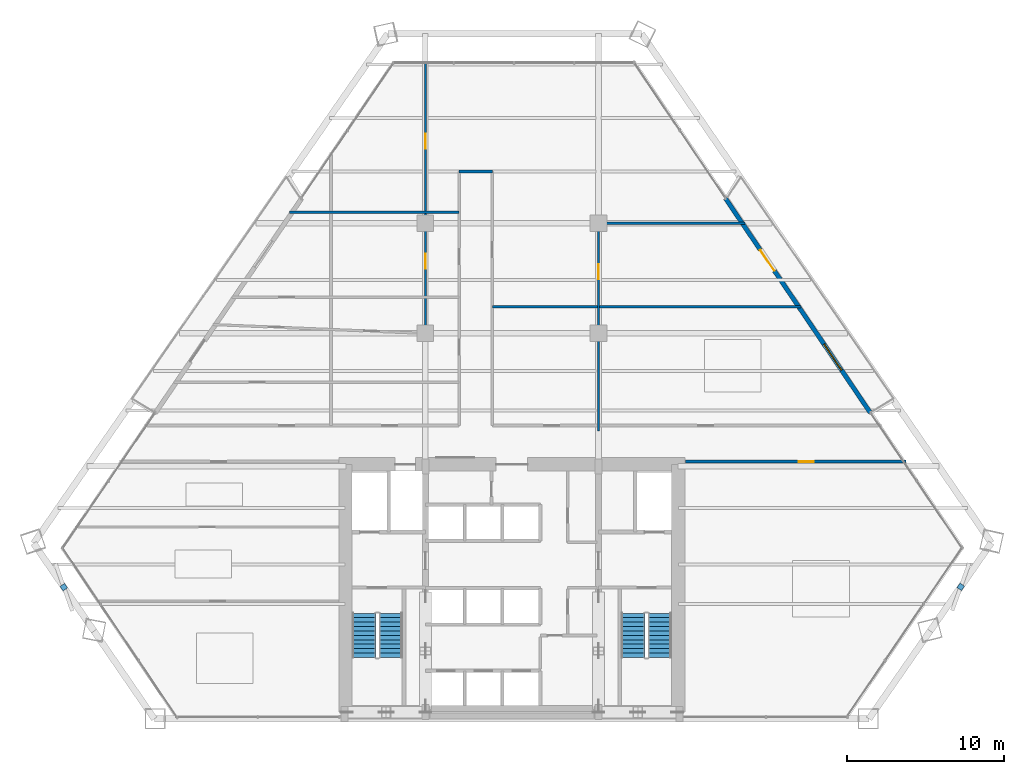
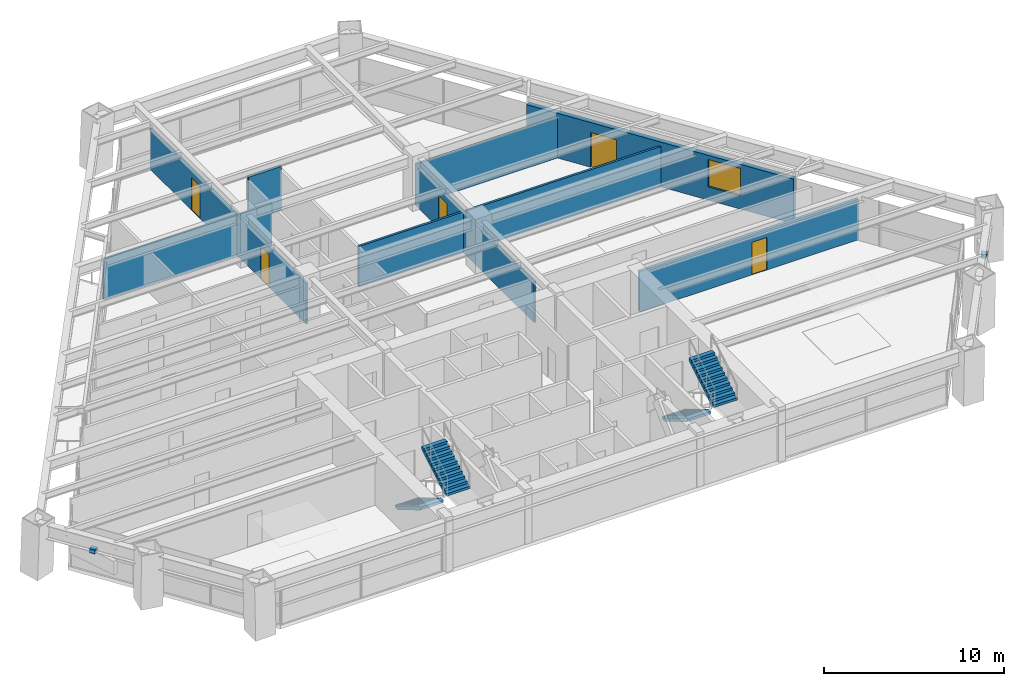
# One storey, part 12 of 14: 8 walls, 5 doors, 4 stair flights, 2 discrete accessories, 1 window, 6 openings, 2 elements without a shape of their own.
"""IFC4 building model written with IfcOpenShell, lengths in metres."""

from ifc_helpers import new_model, si_unit, direction, frame, frame_2d, origin, origin_2d, place, context, subcontext, project, spatial, polyline, rectangle, outline, extrude, source, transform, mapped, material, layer, layer_set, type_object, type_shapes, element, fill, aggregate, save


model = new_model("IFC4")

# Units and contexts
model_context = context("Model", 3, precision=1e-05, world=origin(), true_north=direction((0.0, 1.0)))
body_context = subcontext(model_context, "Body", "Model", "MODEL_VIEW")
ifc_project = project(units=[si_unit("LENGTHUNIT", "METRE"), si_unit("AREAUNIT", "SQUARE_METRE"), si_unit("VOLUMEUNIT", "CUBIC_METRE"), si_unit("PLANEANGLEUNIT", "RADIAN"), si_unit("MASSUNIT", "GRAM", prefix="KILO")], contexts=[model_context])

# Site, building, storey
site_placement = place(None, origin())
site = spatial("IfcSite", under=ifc_project, at=site_placement, CompositionType="ELEMENT")
building_placement = place(site_placement, origin())
building = spatial("IfcBuilding", under=site, at=building_placement, Name="Varnakhor Terracotta Tower", CompositionType="ELEMENT")
storey_placement = place(building_placement, frame((0.0, 0.0, 38.60009765625)))
storey = spatial("IfcBuildingStorey", under=building, at=storey_placement, Name="L08", CompositionType="ELEMENT", Elevation=38.60009765625)

# Wall, opening, door
ifc_material_1 = material(Name="Fire-Rated Gypsum Stud Partition", Category="gypsum")
ifc_layer_1 = layer(ifc_material_1, 0.18505859375, Name="Fire-Rated Gypsum Stud Partition")
ifc_layer_set_1 = layer_set([ifc_layer_1], Name="Fire-Rated Gypsum Stud Partition")
wall_type_1 = type_object("IfcWallType", Name="WAL-CORR-185", PredefinedType="PARTITIONING", material=ifc_layer_set_1)
wall_1_placement = place(storey_placement, frame((11.02001953125, 16.35009765625, 0.0), z_axis=(0.0, 0.0, 1.0), x_axis=(1.0, 0.0, 0.0)))
wall_1 = element("IfcWall", 1, at=wall_1_placement, inside=storey, type_object=wall_type_1, Name="L08 South East Corridor Wall", PredefinedType="PARTITIONING", context=body_context, shape_type="SweptSolid", body=[
    extrude(rectangle(XDim=14.011474609375, YDim=0.18505859375, at=frame_2d((7.005859375, 0.0))), origin(), (0.0, 0.0, 1.0), 2.746826171875),
])
opening_1_placement = place(wall_1_placement, frame((7.197265625, 0.0, 0.0)))
opening_1 = element("IfcOpeningElement", 2, at=opening_1_placement, cuts=wall_1, Name="Opening DR-94", PredefinedType="OPENING", context=body_context, shape_type="SweptSolid", body=[
    extrude(rectangle(XDim=0.949951171875, YDim=2.199951171875, at=frame_2d((0.47509765625, 1.10009765625))), frame((0.0, 0.1025390625, 0.0), z_axis=(0.0, -1.0, 0.0), x_axis=(1.0, 0.0, 0.0)), (0.0, 0.0, 1.0), 0.205078125),
])
ifc_material_2 = material(Name="Acoustic Glazed-Vision Timber Office Door", Category="wood")
door_type_1 = type_object("IfcDoorType", Name="DR-OFF-950X2200", OperationType="NOTDEFINED", PredefinedType="DOOR", material=ifc_material_2)
shared_shape_1 = source(origin(), body_context, "Body", "SweptSolid", [
    extrude(rectangle(XDim=0.949951171875, YDim=2.199951171875, at=frame_2d((0.47509765625, 1.10009765625))), frame((0.0, 0.02490234375, 0.0), z_axis=(0.0, -1.0, 0.0), x_axis=(1.0, 0.0, 0.0)), (0.0, 0.0, 1.0), 0.050048828125),
])
type_shapes(door_type_1, [shared_shape_1])
door_1_placement = place(opening_1_placement, origin())
door_1 = element("IfcDoor", 3, at=door_1_placement, inside=storey, type_object=door_type_1, Name="L08 SE Suite Door", OperationType="SINGLE_SWING_RIGHT", OverallHeight=2.199951171875, OverallWidth=0.949951171875, PredefinedType="DOOR", context=body_context, shape_type="MappedRepresentation", body=[
    mapped(shared_shape_1, transform((0.0, 0.0, 0.0), scale=1.0)),
])
fill(opening_1, door_1)

# Wall
wall_2_placement = place(storey_placement, frame((-3.35009765625, 34.800048828125, 0.0), z_axis=(0.0, 0.0, 1.0), x_axis=(1.0, 0.0, 0.0)))
element("IfcWall", 4, at=wall_2_placement, inside=storey, type_object=wall_type_1, Name="L08 Spine North End Wall", PredefinedType="PARTITIONING", context=body_context, shape_type="SweptSolid", body=[
    extrude(rectangle(XDim=2.10009765625, YDim=0.18505859375, at=frame_2d((1.050048828125, 0.0))), origin(), (0.0, 0.0, 1.0), 2.97900390625),
])

# Wall, openings, door, window
ifc_material_3 = material(Name="Extruded Architectural Terracotta Assembly", Category="masonry")
ifc_layer_2 = layer(ifc_material_3, 0.280029296875, Name="Extruded Architectural Terracotta Assembly")
ifc_layer_set_2 = layer_set([ifc_layer_2], Name="Extruded Architectural Terracotta Assembly")
wall_type_2 = type_object("IfcWallType", Name="WAL-EXT-TERRACOTTA-280", PredefinedType="SOLIDWALL", material=ifc_layer_set_2)
wall_3_placement = place(storey_placement, frame((13.5732421875, 33.077880859375, 0.0), z_axis=(0.0, 0.0, 1.0), x_axis=(0.559811376514, -0.828620071399, 0.0)))
wall_3 = element("IfcWall", 5, at=wall_3_placement, inside=storey, type_object=wall_type_2, Name="L08 E Loggia Insulated Terracotta Wall", PredefinedType="SOLIDWALL", context=body_context, shape_type="SweptSolid", body=[
    extrude(rectangle(XDim=16.4345703125, YDim=0.280029296875, at=frame_2d((8.21728515625, 0.0))), origin(), (0.0, 0.0, 1.0), 3.02978515625),
])
opening_2_placement = place(wall_3_placement, frame((3.944091796875, 0.0, 0.0)))
opening_2 = element("IfcOpeningElement", 6, at=opening_2_placement, cuts=wall_3, Name="Opening DR-62", PredefinedType="OPENING", context=body_context, shape_type="SweptSolid", body=[
    extrude(rectangle(XDim=1.60009765625, YDim=2.35009765625, at=frame_2d((0.800048828125, 1.175048828125))), frame((0.0, 0.14990234375, 0.0), z_axis=(0.0, -1.0, 0.0), x_axis=(1.0, 0.0, 0.0)), (0.0, 0.0, 1.0), 0.300048828125),
])
opening_3_placement = place(wall_3_placement, frame((11.17529296875, 0.0, 0.89990234375)))
opening_3 = element("IfcOpeningElement", 7, at=opening_3_placement, cuts=wall_3, Name="Opening WN-26", PredefinedType="OPENING", context=body_context, shape_type="SweptSolid", body=[
    extrude(rectangle(XDim=2.0, YDim=1.85009765625, at=frame_2d((1.0, 0.925048828125))), frame((0.0, 0.14990234375, 0.0), z_axis=(0.0, -1.0, 0.0), x_axis=(1.0, 0.0, 0.0)), (0.0, 0.0, 1.0), 0.300048828125),
])
ifc_material_4 = material(Name="Thermally Broken Sliding Glass Loggia Door", Category="glass")
door_type_2 = type_object("IfcDoorType", Name="DR-EXT-LOGGIA-1600X2350", OperationType="NOTDEFINED", PredefinedType="DOOR", material=ifc_material_4)
shared_shape_2 = source(origin(), body_context, "Body", "SweptSolid", [
    extrude(rectangle(XDim=1.60009765625, YDim=2.35009765625, at=frame_2d((0.800048828125, 1.175048828125))), frame((0.0, 0.02490234375, 0.0), z_axis=(0.0, -1.0, 0.0), x_axis=(1.0, 0.0, 0.0)), (0.0, 0.0, 1.0), 0.050048828125),
])
type_shapes(door_type_2, [shared_shape_2])
door_2_placement = place(opening_2_placement, origin())
door_2 = element("IfcDoor", 8, at=door_2_placement, inside=storey, type_object=door_type_2, Name="L08 E Recessed Loggia Sliding Door", OperationType="SLIDING_TO_RIGHT", OverallHeight=2.35009765625, OverallWidth=1.60009765625, PredefinedType="DOOR", context=body_context, shape_type="MappedRepresentation", body=[
    mapped(shared_shape_2, transform((0.0, 0.0, 0.0), scale=1.0)),
])
fill(opening_2, door_2)
ifc_material_5 = material(Name="Solar-Control Low-E Insulated Glass Unit", Category="glass")
window_type = type_object("IfcWindowType", Name="WIN-OFF-2200X2100", PartitioningType="SINGLE_PANEL", PredefinedType="WINDOW", material=ifc_material_5)
shared_shape_3 = source(origin(), body_context, "Body", "SweptSolid", [
    extrude(rectangle(XDim=2.0, YDim=1.85009765625, at=frame_2d((1.0, 0.925048828125))), frame((0.0, 0.030029296875, 0.0), z_axis=(0.0, -1.0, 0.0), x_axis=(1.0, 0.0, 0.0)), (0.0, 0.0, 1.0), 0.06005859375),
])
type_shapes(window_type, [shared_shape_3])
window_placement = place(opening_3_placement, origin())
window = element("IfcWindow", 9, at=window_placement, inside=storey, type_object=window_type, Name="L08 E Facet Punched Window", OverallHeight=1.85009765625, OverallWidth=2.0, PartitioningType="SINGLE_PANEL", PredefinedType="WINDOW", context=body_context, shape_type="MappedRepresentation", body=[
    mapped(shared_shape_3, transform((0.0, 0.0, 0.0), scale=1.0)),
])
fill(opening_3, window)

# Wall, openings, doors
ifc_material_6 = material(Name="Acoustic Metal-Stud Partition", Category="gypsum")
ifc_layer_3 = layer(ifc_material_6, 0.139892578125, Name="Acoustic Metal-Stud Partition")
ifc_layer_set_3 = layer_set([ifc_layer_3], Name="Acoustic Metal-Stud Partition")
wall_type_3 = type_object("IfcWallType", Name="WAL-PART-140", PredefinedType="PARTITIONING", material=ifc_layer_set_3)
wall_4_placement = place(storey_placement, frame((-5.5, 24.5, 0.0), z_axis=(0.0, 0.0, 1.0), x_axis=(0.0, 1.0, 0.0)))
wall_4 = element("IfcWall", 10, at=wall_4_placement, inside=storey, type_object=wall_type_3, Name="L08 West Upper Column Wall", PredefinedType="PARTITIONING", context=body_context, shape_type="SweptSolid", body=[
    extrude(rectangle(XDim=17.31201171875, YDim=0.139892578125, at=frame_2d((8.656005859375, 0.0))), origin(), (0.0, 0.0, 1.0), 2.746826171875),
])
opening_4_placement = place(wall_4_placement, frame((11.747314453125, 0.0, 0.0)))
opening_4 = element("IfcOpeningElement", 11, at=opening_4_placement, cuts=wall_4, Name="Opening DR-94", PredefinedType="OPENING", context=body_context, shape_type="SweptSolid", body=[
    extrude(rectangle(XDim=0.949951171875, YDim=2.199951171875, at=frame_2d((0.47509765625, 1.10009765625))), frame((0.0, 0.080078125, 0.0), z_axis=(0.0, -1.0, 0.0), x_axis=(1.0, 0.0, 0.0)), (0.0, 0.0, 1.0), 0.159912109375),
])
opening_5_placement = place(wall_4_placement, frame((4.099853515625, 0.0, 0.0)))
opening_5 = element("IfcOpeningElement", 12, at=opening_5_placement, cuts=wall_4, Name="Opening DR-94", PredefinedType="OPENING", context=body_context, shape_type="SweptSolid", body=[
    extrude(rectangle(XDim=0.949951171875, YDim=2.199951171875, at=frame_2d((0.47509765625, 1.10009765625))), frame((0.0, 0.080078125, 0.0), z_axis=(0.0, -1.0, 0.0), x_axis=(1.0, 0.0, 0.0)), (0.0, 0.0, 1.0), 0.159912109375),
])
door_3_placement = place(opening_4_placement, origin())
door_3 = element("IfcDoor", 13, at=door_3_placement, inside=storey, type_object=door_type_1, Name="L08 Trading Workplace East B19 Door", OperationType="SINGLE_SWING_RIGHT", OverallHeight=2.199951171875, OverallWidth=0.949951171875, PredefinedType="DOOR", context=body_context, shape_type="MappedRepresentation", body=[
    mapped(shared_shape_1, transform((0.0, 0.0, 0.0), scale=1.0)),
])
fill(opening_4, door_3)
door_4_placement = place(opening_5_placement, origin())
door_4 = element("IfcDoor", 14, at=door_4_placement, inside=storey, type_object=door_type_1, Name="L08 Client Reception Door", OperationType="SINGLE_SWING_LEFT", OverallHeight=2.199951171875, OverallWidth=0.949951171875, PredefinedType="DOOR", context=body_context, shape_type="MappedRepresentation", body=[
    mapped(shared_shape_1, transform((0.0, 0.0, 0.0), scale=1.0)),
])
fill(opening_5, door_4)

# Wall, opening, door
wall_5_placement = place(storey_placement, frame((5.5, 18.300048828125, 0.0), z_axis=(0.0, 0.0, 1.0), x_axis=(0.0, 1.0, 0.0)))
wall_5 = element("IfcWall", 15, at=wall_5_placement, inside=storey, type_object=wall_type_3, Name="L08 East Lower Column Wall", PredefinedType="PARTITIONING", context=body_context, shape_type="SweptSolid", body=[
    extrude(rectangle(XDim=13.199951171875, YDim=0.139892578125, at=frame_2d((6.60009765625, 0.0))), origin(), (0.0, 0.0, 1.0), 2.746826171875),
])
opening_6_placement = place(wall_5_placement, frame((9.64208984375, 0.0, 0.0)))
opening_6 = element("IfcOpeningElement", 16, at=opening_6_placement, cuts=wall_5, Name="Opening DR-94", PredefinedType="OPENING", context=body_context, shape_type="SweptSolid", body=[
    extrude(rectangle(XDim=0.949951171875, YDim=2.199951171875, at=frame_2d((0.47509765625, 1.10009765625))), frame((0.0, 0.080078125, 0.0), z_axis=(0.0, -1.0, 0.0), x_axis=(1.0, 0.0, 0.0)), (0.0, 0.0, 1.0), 0.159912109375),
])
door_5_placement = place(opening_6_placement, origin())
door_5 = element("IfcDoor", 17, at=door_5_placement, inside=storey, type_object=door_type_1, Name="L08 Seminar Training Room Door", OperationType="SINGLE_SWING_RIGHT", OverallHeight=2.199951171875, OverallWidth=0.949951171875, PredefinedType="DOOR", context=body_context, shape_type="MappedRepresentation", body=[
    mapped(shared_shape_1, transform((0.0, 0.0, 0.0), scale=1.0)),
])
fill(opening_6, door_5)

# Walls
wall_6_placement = place(storey_placement, frame((5.5, 31.5, 0.0), z_axis=(0.0, 0.0, 1.0), x_axis=(1.0, 0.0, 0.0)))
element("IfcWall", 18, at=wall_6_placement, inside=storey, type_object=wall_type_3, Name="L08 North East Column Wall", PredefinedType="PARTITIONING", context=body_context, shape_type="SweptSolid", body=[
    extrude(rectangle(XDim=9.296142578125, YDim=0.139892578125, at=frame_2d((4.64794921875, 0.0))), origin(), (0.0, 0.0, 1.0), 2.746826171875),
])
wall_7_placement = place(storey_placement, frame((-14.124267578125, 32.199951171875, 0.0), z_axis=(0.0, 0.0, 1.0), x_axis=(1.0, 0.0, 0.0)))
element("IfcWall", 19, at=wall_7_placement, inside=storey, type_object=wall_type_3, Name="L08 West Wing Cut 3", PredefinedType="PARTITIONING", context=body_context, shape_type="SweptSolid", body=[
    extrude(rectangle(XDim=10.774169921875, YDim=0.139892578125, at=frame_2d((5.38720703125, 0.0))), origin(), (0.0, 0.0, 1.0), 2.746826171875),
])
wall_8_placement = place(storey_placement, frame((-1.25, 26.199951171875, 0.0), z_axis=(0.0, 0.0, 1.0), x_axis=(1.0, 0.0, 0.0)))
element("IfcWall", 20, at=wall_8_placement, inside=storey, type_object=wall_type_3, Name="L08 East Wing Cut 1", PredefinedType="PARTITIONING", context=body_context, shape_type="SweptSolid", body=[
    extrude(rectangle(XDim=19.626708984375, YDim=0.139892578125, at=frame_2d((9.8134765625, 0.0))), origin(), (0.0, 0.0, 1.0), 2.746826171875),
])

# Stair, stair flights
ifc_material_7 = material(Name="Concrete C40/50", Category="concrete")
stair_type = type_object("IfcStairType", Name="STR-CORE-OFFICE-1500", PredefinedType="HALF_TURN_STAIR", material=ifc_material_7)
stair_1_placement = place(storey_placement, origin())
stair_1 = element("IfcStair", 21, at=stair_1_placement, inside=storey, type_object=stair_type, Name="L08 Core Exit Stair ST-1", PredefinedType="HALF_TURN_STAIR")
stair_flight_type = type_object("IfcStairFlightType", Name="FLT-CORE-1500", PredefinedType="STRAIGHT", material=ifc_material_7)
stair_flight_1_placement = place(storey_placement, frame((-9.39990234375, 6.7099609375, 0.0), z_axis=(0.0, 0.0, 1.0), x_axis=(0.0, -1.0, 0.0)))
stair_flight_1 = element("IfcStairFlight", 22, at=stair_flight_1_placement, type_object=stair_flight_type, Name="ST-1 flight 1", NumberOfRisers=11, NumberOfTreads=10, PredefinedType="STRAIGHT", RiserHeight=0.168181818, TreadLength=0.28, context=body_context, shape_type="SweptSolid", body=[
    extrude(outline(polyline([(0.0, 0.0), (0.0, 0.168212890625), (0.280029296875, 0.168212890625), (0.280029296875, 0.33642578125), (0.56005859375, 0.33642578125), (0.56005859375, 0.504638671875), (0.840087890625, 0.504638671875), (0.840087890625, 0.672607421875), (1.1201171875, 0.672607421875), (1.1201171875, 0.8408203125), (1.39990234375, 0.8408203125), (1.39990234375, 1.009033203125), (1.679931640625, 1.009033203125), (1.679931640625, 1.17724609375), (1.9599609375, 1.17724609375), (1.9599609375, 1.345458984375), (2.239990234375, 1.345458984375), (2.239990234375, 1.513671875), (2.52001953125, 1.513671875), (2.52001953125, 1.681884765625), (2.800048828125, 1.681884765625), (2.800048828125, 1.85009765625), (2.800048828125, 1.495361328125), (0.310546875, 0.0), (0.0, 0.0)])), frame((0.0, 0.75, 0.0), z_axis=(0.0, -1.0, 0.0), x_axis=(1.0, 0.0, 0.0)), (0.0, 0.0, 1.0), 1.5),
])
stair_flight_2_placement = place(storey_placement, frame((-7.699951171875, 3.909912109375, 1.849853515625), z_axis=(0.0, 0.0, 1.0), x_axis=(0.0, 1.0, 0.0)))
stair_flight_2 = element("IfcStairFlight", 23, at=stair_flight_2_placement, type_object=stair_flight_type, Name="ST-1 flight 2", NumberOfRisers=11, NumberOfTreads=10, PredefinedType="STRAIGHT", RiserHeight=0.168181818, TreadLength=0.28, context=body_context, shape_type="SweptSolid", body=[
    extrude(outline(polyline([(0.0, 0.0), (0.0, 0.168212890625), (0.280029296875, 0.168212890625), (0.280029296875, 0.33642578125), (0.56005859375, 0.33642578125), (0.56005859375, 0.504638671875), (0.840087890625, 0.504638671875), (0.840087890625, 0.672607421875), (1.1201171875, 0.672607421875), (1.1201171875, 0.8408203125), (1.39990234375, 0.8408203125), (1.39990234375, 1.009033203125), (1.679931640625, 1.009033203125), (1.679931640625, 1.17724609375), (1.9599609375, 1.17724609375), (1.9599609375, 1.345458984375), (2.239990234375, 1.345458984375), (2.239990234375, 1.513671875), (2.52001953125, 1.513671875), (2.52001953125, 1.681884765625), (2.800048828125, 1.681884765625), (2.800048828125, 1.85009765625), (2.800048828125, 1.495361328125), (0.310546875, 0.0), (0.0, 0.0)])), frame((0.0, 0.75, 0.0), z_axis=(0.0, -1.0, 0.0), x_axis=(1.0, 0.0, 0.0)), (0.0, 0.0, 1.0), 1.5),
])
aggregate(stair_1, [stair_flight_1, stair_flight_2])

stair_2_placement = place(storey_placement, origin())
stair_2 = element("IfcStair", 24, at=stair_2_placement, inside=storey, type_object=stair_type, Name="L08 Core Exit Stair ST-2", PredefinedType="HALF_TURN_STAIR")
stair_flight_3_placement = place(storey_placement, frame((7.699951171875, 6.7099609375, 0.0), z_axis=(0.0, 0.0, 1.0), x_axis=(0.0, -1.0, 0.0)))
stair_flight_3 = element("IfcStairFlight", 25, at=stair_flight_3_placement, type_object=stair_flight_type, Name="ST-2 flight 1", NumberOfRisers=11, NumberOfTreads=10, PredefinedType="STRAIGHT", RiserHeight=0.168181818, TreadLength=0.28, context=body_context, shape_type="SweptSolid", body=[
    extrude(outline(polyline([(0.0, 0.0), (0.0, 0.168212890625), (0.280029296875, 0.168212890625), (0.280029296875, 0.33642578125), (0.56005859375, 0.33642578125), (0.56005859375, 0.504638671875), (0.840087890625, 0.504638671875), (0.840087890625, 0.672607421875), (1.1201171875, 0.672607421875), (1.1201171875, 0.8408203125), (1.39990234375, 0.8408203125), (1.39990234375, 1.009033203125), (1.679931640625, 1.009033203125), (1.679931640625, 1.17724609375), (1.9599609375, 1.17724609375), (1.9599609375, 1.345458984375), (2.239990234375, 1.345458984375), (2.239990234375, 1.513671875), (2.52001953125, 1.513671875), (2.52001953125, 1.681884765625), (2.800048828125, 1.681884765625), (2.800048828125, 1.85009765625), (2.800048828125, 1.495361328125), (0.310546875, 0.0), (0.0, 0.0)])), frame((0.0, 0.75, 0.0), z_axis=(0.0, -1.0, 0.0), x_axis=(1.0, 0.0, 0.0)), (0.0, 0.0, 1.0), 1.5),
])
stair_flight_4_placement = place(storey_placement, frame((9.39990234375, 3.909912109375, 1.849853515625), z_axis=(0.0, 0.0, 1.0), x_axis=(0.0, 1.0, 0.0)))
stair_flight_4 = element("IfcStairFlight", 26, at=stair_flight_4_placement, type_object=stair_flight_type, Name="ST-2 flight 2", NumberOfRisers=11, NumberOfTreads=10, PredefinedType="STRAIGHT", RiserHeight=0.168181818, TreadLength=0.28, context=body_context, shape_type="SweptSolid", body=[
    extrude(outline(polyline([(0.0, 0.0), (0.0, 0.168212890625), (0.280029296875, 0.168212890625), (0.280029296875, 0.33642578125), (0.56005859375, 0.33642578125), (0.56005859375, 0.504638671875), (0.840087890625, 0.504638671875), (0.840087890625, 0.672607421875), (1.1201171875, 0.672607421875), (1.1201171875, 0.8408203125), (1.39990234375, 0.8408203125), (1.39990234375, 1.009033203125), (1.679931640625, 1.009033203125), (1.679931640625, 1.17724609375), (1.9599609375, 1.17724609375), (1.9599609375, 1.345458984375), (2.239990234375, 1.345458984375), (2.239990234375, 1.513671875), (2.52001953125, 1.513671875), (2.52001953125, 1.681884765625), (2.800048828125, 1.681884765625), (2.800048828125, 1.85009765625), (2.800048828125, 1.495361328125), (0.310546875, 0.0), (0.0, 0.0)])), frame((0.0, 0.75, 0.0), z_axis=(0.0, -1.0, 0.0), x_axis=(1.0, 0.0, 0.0)), (0.0, 0.0, 1.0), 1.5),
])
aggregate(stair_2, [stair_flight_3, stair_flight_4])

# Discrete accessories
ifc_material_8 = material(Name="Stainless Steel Fixing Bracket", Category="steel")
discrete_accessory_type = type_object("IfcDiscreteAccessoryType", Name="BRACKET-TERRACOTTA-SCREEN", PredefinedType="BRACKET", material=ifc_material_8)
shared_shape_4 = source(origin(), body_context, "Body", "SweptSolid", [
    extrude(rectangle(XDim=0.35009765625, YDim=0.35009765625, at=origin_2d()), origin(), (0.0, 0.0, 1.0), 0.280029296875),
])
type_shapes(discrete_accessory_type, [shared_shape_4])
for number, where, z_axis, x_axis, name in (
    (27, (28.522705078125, 8.39111328125, 2.39306640625), (0.0, 0.0, 1.0), (0.570641906725, 0.821199010161, 0.0), "L08 E Screen Fixing Bracket"),
    (28, (-28.48095703125, 8.369873046875, 2.39306640625), (0.0, 0.0, 1.0), (0.566262391144, -0.824225032607, 0.0), "L08 W Screen Fixing Bracket"),
):
    element("IfcDiscreteAccessory", number, at=place(storey_placement, frame(where, z_axis=z_axis, x_axis=x_axis)), inside=storey, type_object=discrete_accessory_type, Name=name, PredefinedType="BRACKET", context=body_context, shape_type="MappedRepresentation", body=[
        mapped(shared_shape_4, transform((0.0, 0.0, 0.0), scale=1.0)),
    ])

save(model, "model.ifc")
